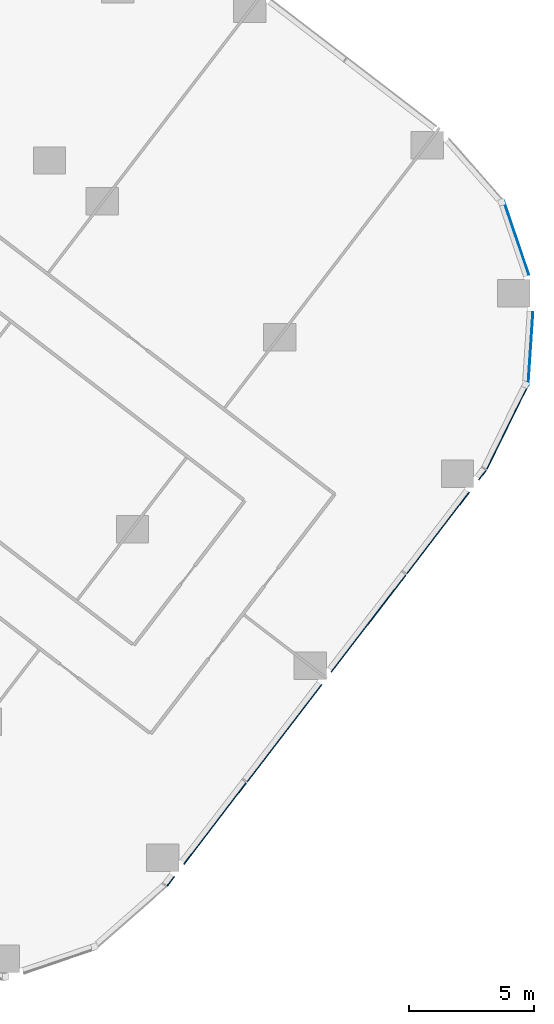
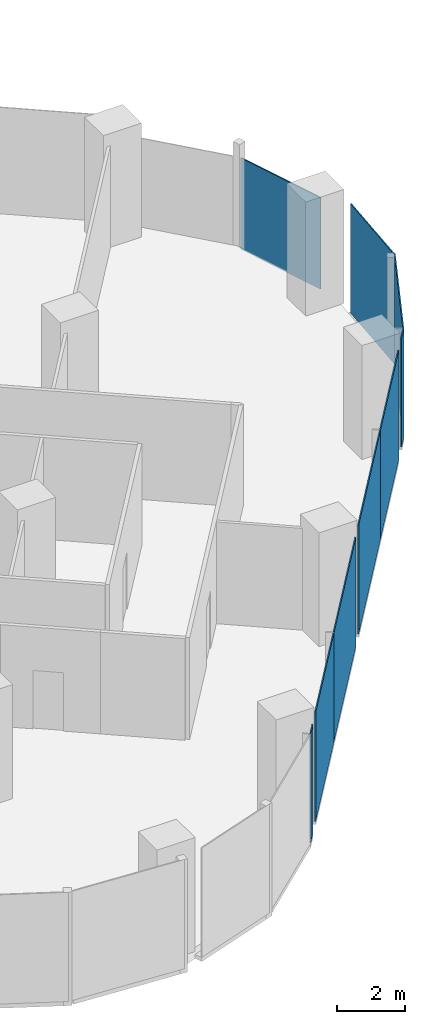
# One storey, part 18 of 29: 9 plates, 4 elements without a shape of their own.
"""IFC4 building model written with IfcOpenShell, lengths in metres."""

from ifc_helpers import new_model, si_unit, direction, frame, origin, origin_2d, place, context, subcontext, project, spatial, rectangle, extrude, material, layer, layer_set, type_object, element, aggregate, save


model = new_model("IFC4")

# Units and contexts
model_context = context("Model", 3, precision=1e-05, world=origin(), true_north=direction((0.0, 1.0)))
body_context = subcontext(model_context, "Body", "Model", "MODEL_VIEW")
ifc_project = project(units=[si_unit("LENGTHUNIT", "METRE"), si_unit("AREAUNIT", "SQUARE_METRE"), si_unit("VOLUMEUNIT", "CUBIC_METRE"), si_unit("PLANEANGLEUNIT", "RADIAN"), si_unit("MASSUNIT", "GRAM", prefix="KILO")], contexts=[model_context])

# Site, building, storey
site_placement = place(None, origin())
site = spatial("IfcSite", under=ifc_project, at=site_placement, CompositionType="ELEMENT")
building_placement = place(site_placement, origin())
building = spatial("IfcBuilding", under=site, at=building_placement, Name="Orlundy Tower", CompositionType="ELEMENT")
storey_placement = place(building_placement, frame((0.0, 0.0, 29.199951171875)))
storey = spatial("IfcBuildingStorey", under=building, at=storey_placement, Name="L05", CompositionType="ELEMENT", Elevation=29.199951171875)

# Curtain wall, plate
ifc_material_1 = material(Name="Aluminium bronze anodised", Category="aluminium")
curtain_wall_type = type_object("IfcCurtainWallType", Name="CW2 wall", PredefinedType="NOTDEFINED", material=ifc_material_1)
curtain_wall_1_placement = place(storey_placement, origin())
curtain_wall_1 = element("IfcCurtainWall", 1, at=curtain_wall_1_placement, inside=storey, type_object=curtain_wall_type, Name="CW2 run 020", PredefinedType="NOTDEFINED")
ifc_material_2 = material(Name="Tinted glass", Category="glass")
ifc_layer = layer(ifc_material_2, 0.0380859375)
ifc_layer_set = layer_set([ifc_layer], Name="CW2 glass panel 38")
plate_type = type_object("IfcPlateType", Name="CW2 glass panel 38", PredefinedType="CURTAIN_PANEL", material=ifc_layer_set)
plate_1_placement = place(storey_placement, frame((55.785888671875, -19.3271484375, -0.25), z_axis=(0.0, 0.0, 1.0), x_axis=(0.321564171921, -0.946887788144, 0.0)))
plate_1 = element("IfcPlate", 2, at=plate_1_placement, type_object=plate_type, Name="CW2 panel", PredefinedType="CURTAIN_PANEL", context=body_context, shape_type="SweptSolid", body=[
    extrude(rectangle(XDim=3.12158203125, YDim=0.0380859375, at=origin_2d()), origin(), (0.0, 0.0, 1.0), 3.2900390625),
])
aggregate(curtain_wall_1, [plate_1])

curtain_wall_2_placement = place(storey_placement, origin())
curtain_wall_2 = element("IfcCurtainWall", 3, at=curtain_wall_2_placement, inside=storey, type_object=curtain_wall_type, Name="CW2 run 021", PredefinedType="NOTDEFINED")
plate_2_placement = place(storey_placement, frame((56.352783203125, -23.7705078125, -0.25), z_axis=(0.0, 0.0, 1.0), x_axis=(-0.065569783834, -0.997847986142, 0.0)))
plate_2 = element("IfcPlate", 4, at=plate_2_placement, type_object=plate_type, Name="CW2 panel", PredefinedType="CURTAIN_PANEL", context=body_context, shape_type="SweptSolid", body=[
    extrude(rectangle(XDim=2.937255859375, YDim=0.0380859375, at=origin_2d()), origin(), (0.0, 0.0, 1.0), 3.929931640625),
])
aggregate(curtain_wall_2, [plate_2])

curtain_wall_3_placement = place(storey_placement, origin())
curtain_wall_3 = element("IfcCurtainWall", 5, at=curtain_wall_3_placement, inside=storey, type_object=curtain_wall_type, Name="CW2 run 022", PredefinedType="NOTDEFINED")
plate_3_placement = place(storey_placement, frame((55.42724609375, -26.91796875, -0.25), z_axis=(0.0, 0.0, 1.0), x_axis=(-0.442134938063, -0.896948547323, 0.0)))
plate_3 = element("IfcPlate", 6, at=plate_3_placement, type_object=plate_type, Name="CW2 panel", PredefinedType="CURTAIN_PANEL", context=body_context, shape_type="SweptSolid", body=[
    extrude(rectangle(XDim=3.75048828125, YDim=0.0380859375, at=origin_2d()), origin(), (0.0, 0.0, 1.0), 3.929931640625),
])
aggregate(curtain_wall_3, [plate_3])

# Curtain wall, plates
curtain_wall_4_placement = place(storey_placement, origin())
curtain_wall_4 = element("IfcCurtainWall", 7, at=curtain_wall_4_placement, inside=storey, type_object=curtain_wall_type, Name="CW2 run 023", PredefinedType="NOTDEFINED")
plate_4_placement = place(storey_placement, frame((54.42431640625, -28.834716796875, -0.25), z_axis=(0.0, 0.0, 1.0), x_axis=(-0.60877139118, -0.793345695949, 0.0)))
plate_4 = element("IfcPlate", 8, at=plate_4_placement, type_object=plate_type, Name="CW2 panel", PredefinedType="CURTAIN_PANEL", context=body_context, shape_type="SweptSolid", body=[
    extrude(rectangle(XDim=0.484375, YDim=0.0380859375, at=origin_2d()), origin(), (0.0, 0.0, 1.0), 3.929931640625),
])
plate_5_placement = place(storey_placement, frame((52.645751953125, -31.15234375, -0.25), z_axis=(0.0, 0.0, 1.0), x_axis=(-0.60877139118, -0.793345695949, 0.0)))
plate_5 = element("IfcPlate", 9, at=plate_5_placement, type_object=plate_type, Name="CW2 panel", PredefinedType="CURTAIN_PANEL", context=body_context, shape_type="SweptSolid", body=[
    extrude(rectangle(XDim=4.11767578125, YDim=0.0380859375, at=origin_2d()), origin(), (0.0, 0.0, 1.0), 3.929931640625),
])
plate_6_placement = place(storey_placement, frame((49.866943359375, -34.773681640625, -0.25), z_axis=(0.0, 0.0, 1.0), x_axis=(-0.60877139118, -0.793345695949, 0.0)))
plate_6 = element("IfcPlate", 10, at=plate_6_placement, type_object=plate_type, Name="CW2 panel", PredefinedType="CURTAIN_PANEL", context=body_context, shape_type="SweptSolid", body=[
    extrude(rectangle(XDim=4.91162109375, YDim=0.0380859375, at=origin_2d()), origin(), (0.0, 0.0, 1.0), 3.929931640625),
])
plate_7_placement = place(storey_placement, frame((46.4970703125, -39.165283203125, -0.25), z_axis=(0.0, 0.0, 1.0), x_axis=(-0.60877139118, -0.793345695949, 0.0)))
plate_7 = element("IfcPlate", 11, at=plate_7_placement, type_object=plate_type, Name="CW2 panel", PredefinedType="CURTAIN_PANEL", context=body_context, shape_type="SweptSolid", body=[
    extrude(rectangle(XDim=4.9169921875, YDim=0.0380859375, at=origin_2d()), origin(), (0.0, 0.0, 1.0), 3.929931640625),
])
plate_8_placement = place(storey_placement, frame((43.718505859375, -42.786376953125, -0.25), z_axis=(0.0, 0.0, 1.0), x_axis=(-0.60877139118, -0.793345695949, 0.0)))
plate_8 = element("IfcPlate", 12, at=plate_8_placement, type_object=plate_type, Name="CW2 panel", PredefinedType="CURTAIN_PANEL", context=body_context, shape_type="SweptSolid", body=[
    extrude(rectangle(XDim=4.111572265625, YDim=0.0380859375, at=origin_2d()), origin(), (0.0, 0.0, 1.0), 3.929931640625),
])
plate_9_placement = place(storey_placement, frame((41.93994140625, -45.1044921875, -0.25), z_axis=(0.0, 0.0, 1.0), x_axis=(-0.60877139118, -0.793345695949, 0.0)))
plate_9 = element("IfcPlate", 13, at=plate_9_placement, type_object=plate_type, Name="CW2 panel", PredefinedType="CURTAIN_PANEL", context=body_context, shape_type="SweptSolid", body=[
    extrude(rectangle(XDim=0.489990234375, YDim=0.0380859375, at=origin_2d()), origin(), (0.0, 0.0, 1.0), 3.929931640625),
])
aggregate(curtain_wall_4, [plate_4, plate_5, plate_6, plate_7, plate_8, plate_9])

save(model, "model.ifc")
